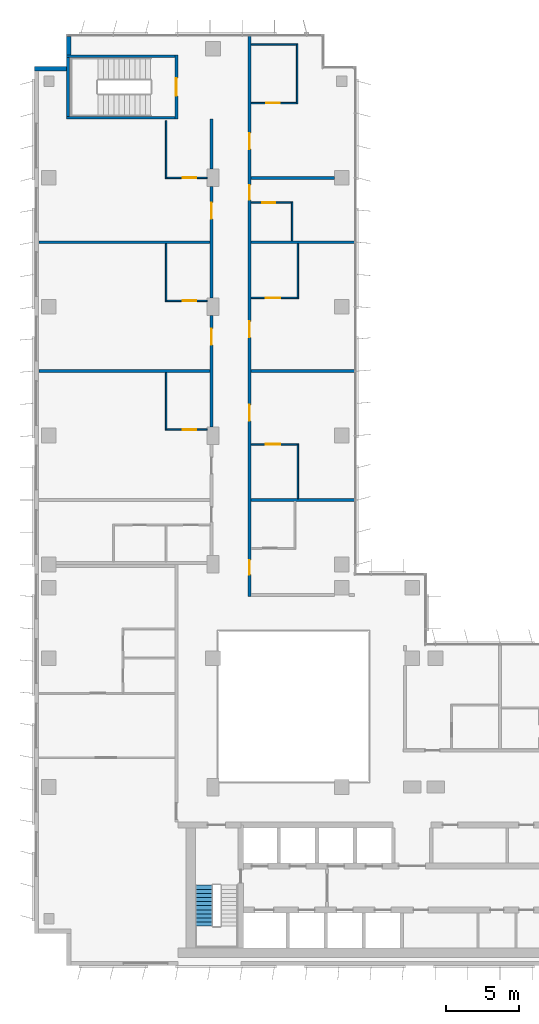
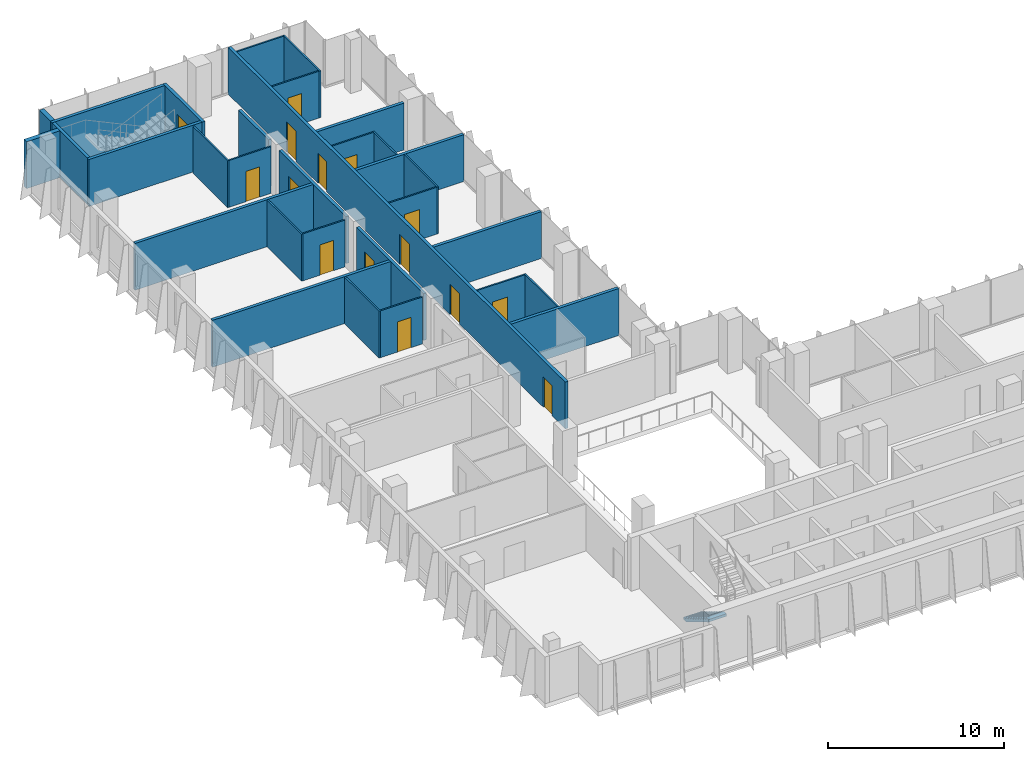
# One storey, part 16 of 20: 31 walls, 15 doors, 1 stair flight, 15 openings, 1 element without a shape of its own.
"""IFC4 building model written with IfcOpenShell, lengths in metres."""

import ifcopenshell
import ifcopenshell.guid

model = None  # the IFC model being written
_history = None  # IfcOwnerHistory: only IFC2X3 demands one
_inside = {}  # id of a spatial element -> (the spatial element, [elements in it])
_under = {}  # id of a project, library or spatial element -> (it, [spatial elements below it])
_declared = {}  # id of a project -> (the project, [libraries it declares])
_typed = {}  # id of a type object -> (the type object, [elements of that type])
_made_of = {}  # id of a material, layer set ... -> (it, [elements and type objects made of it])


def new_model(schema):
    """Start an empty IFC model of exactly this schema.

    Asked for "IFC4X3", IfcOpenShell would pick the latest addendum, in which some entities
    have other attributes; the version numbers below select the first issue.
    IFC2X3 requires an IfcOwnerHistory on every rooted entity: one is made here for all.
    """
    global model, _history
    if schema == "IFC4X3":
        model = ifcopenshell.file(schema_version=(4, 3, 0, 0))
    else:
        model = ifcopenshell.file(schema=schema)
    _inside.clear()
    _under.clear()
    _declared.clear()
    _typed.clear()
    _made_of.clear()
    _history = None
    if model.schema == "IFC2X3":
        org = make("IfcOrganization", Name="unknown")
        user = make(
            "IfcPersonAndOrganization",
            ThePerson=make("IfcPerson", FamilyName="unknown"),
            TheOrganization=org,
        )
        app = make(
            "IfcApplication",
            ApplicationDeveloper=org,
            Version="unknown",
            ApplicationFullName="unknown",
            ApplicationIdentifier="unknown",
        )
        _history = make(
            "IfcOwnerHistory",
            OwningUser=user,
            OwningApplication=app,
            ChangeAction="ADDED",
            CreationDate=0,
        )
    return model


def make(cls, **values):
    """One entity of the class cls with the attributes given. An attribute that is None is left unset."""
    return model.create_entity(
        cls, **{name: value for name, value in values.items() if value is not None}
    )


def rooted(cls, **values):
    """An entity with a GlobalId (a new one), such as an element, a storey or a relation."""
    return make(cls, GlobalId=ifcopenshell.guid.new(), OwnerHistory=_history, **values)


def si_unit(unit_type, name, prefix=None):
    """IfcSIUnit, for example si_unit("LENGTHUNIT", "METRE", prefix="MILLI")."""
    return make("IfcSIUnit", UnitType=unit_type, Prefix=prefix, Name=name)


def assignment(units):
    """IfcUnitAssignment: the units of a project."""
    return None if units is None else make("IfcUnitAssignment", Units=units)


def point(xyz):
    """IfcCartesianPoint."""
    return None if xyz is None else make("IfcCartesianPoint", Coordinates=xyz)


def direction(xyz):
    """IfcDirection."""
    return None if xyz is None else make("IfcDirection", DirectionRatios=xyz)


def frame(location, z_axis=None, x_axis=None):
    """IfcAxis2Placement3D, a coordinate frame: its origin and axes. An axis left out is left unset."""
    return make(
        "IfcAxis2Placement3D",
        Location=point(location),
        Axis=direction(z_axis),
        RefDirection=direction(x_axis),
    )


def frame_2d(location, x_axis=None):
    """IfcAxis2Placement2D, a coordinate frame in the plane: its origin and x axis."""
    return make(
        "IfcAxis2Placement2D", Location=point(location), RefDirection=direction(x_axis)
    )


def origin():
    """The frame at (0, 0, 0) with its axes left unset."""
    return frame((0.0, 0.0, 0.0))


def place(relative_to, where):
    """IfcLocalPlacement: puts the frame where relative to a parent placement (None: the world)."""
    return make(
        "IfcLocalPlacement", PlacementRelTo=relative_to, RelativePlacement=where
    )


def context(
    kind, dimensions, precision=None, world=None, true_north=None, identifier=None
):
    """IfcGeometricRepresentationContext, for example the 3D "Model" context."""
    return make(
        "IfcGeometricRepresentationContext",
        ContextIdentifier=identifier,
        ContextType=kind,
        CoordinateSpaceDimension=dimensions,
        Precision=precision,
        WorldCoordinateSystem=world,
        TrueNorth=true_north,
    )


def subcontext(parent, identifier, kind, view, scale=None):
    """IfcGeometricRepresentationSubContext, for example "Body" below "Model"."""
    return make(
        "IfcGeometricRepresentationSubContext",
        ContextIdentifier=identifier,
        ContextType=kind,
        ParentContext=parent,
        TargetScale=scale,
        TargetView=view,
    )


def project(units=None, contexts=None):
    """IfcProject with its units and contexts."""
    return rooted(
        "IfcProject",
        Name="project",
        RepresentationContexts=contexts,
        UnitsInContext=assignment(units),
    )


def spatial(cls, under=None, at=None, **own):
    """A site, building, storey or space (cls), placed at a placement, below another one or the project."""
    s = rooted(cls, ObjectPlacement=at, **own)
    if under is not None:
        _under.setdefault(under.id(), (under, []))[1].append(s)
    return s


def polyline(points):
    """IfcPolyline through the points."""
    return make("IfcPolyline", Points=[point(p) for p in points])


def profile(cls, at=None, kind="AREA", **sizes):
    """A parametric profile (cls). Its sizes go by their IFC names, for example OverallWidth=200.0."""
    return make(cls, ProfileType=kind, Position=at, **sizes)


def rectangle(**sizes):
    """IfcRectangleProfileDef."""
    return profile("IfcRectangleProfileDef", **sizes)


def outline(outer, holes=None, kind="AREA"):
    """IfcArbitraryClosedProfileDef: a profile drawn as a closed curve; with holes, ...WithVoids."""
    if holes is None:
        return make("IfcArbitraryClosedProfileDef", ProfileType=kind, OuterCurve=outer)
    return make(
        "IfcArbitraryProfileDefWithVoids",
        ProfileType=kind,
        OuterCurve=outer,
        InnerCurves=holes,
    )


def extrude(swept, where, along, depth):
    """IfcExtrudedAreaSolid: the profile swept, set in the frame where, extruded along a direction by depth."""
    return make(
        "IfcExtrudedAreaSolid",
        SweptArea=swept,
        Position=where,
        ExtrudedDirection=direction(along),
        Depth=depth,
    )


def shape(context_of_items, identifier, shape_type, items):
    """IfcShapeRepresentation: the items that make up one representation, for example the "Body"."""
    return make(
        "IfcShapeRepresentation",
        ContextOfItems=context_of_items,
        RepresentationIdentifier=identifier,
        RepresentationType=shape_type,
        Items=items,
    )


def material(Name=None, Category=None):
    """IfcMaterial."""
    return make("IfcMaterial", Name=Name, Category=Category)


def layer(
    of_material, thickness, ventilated=None, Name=None, Category=None, Priority=None
):
    """IfcMaterialLayer: one layer of a wall or slab, of a material (None: an air gap)."""
    return make(
        "IfcMaterialLayer",
        Material=of_material,
        LayerThickness=thickness,
        IsVentilated=ventilated,
        Name=Name,
        Category=Category,
        Priority=Priority,
    )


def layer_set(layers, Name=None):
    """IfcMaterialLayerSet."""
    return make("IfcMaterialLayerSet", MaterialLayers=layers, LayerSetName=Name)


def made_of(thing, what):
    """Note that an element or type object is made of a material, layer set ...; save() writes the relation."""
    if what is not None:
        _made_of.setdefault(what.id(), (what, []))[1].append(thing)
    return thing


def type_object(cls, material=None, **own):
    """A type object (cls), such as IfcWallType, which elements share."""
    return made_of(rooted(cls, **own), material)


def element(
    cls,
    number,
    at=None,
    inside=None,
    cuts=None,
    type_object=None,
    material=None,
    context=None,
    identifier="Body",
    shape_type=None,
    held_by="IfcProductDefinitionShape",
    body=None,
    shapes=None,
    **own,
):
    """One element of the class cls, such as IfcWall. Its Tag is "e" and its number.

    at: its placement. inside: the storey or other place that contains it. cuts: it is an
    opening in that element (IfcRelVoidsElement). A single representation is given by context,
    identifier, shape_type and body (its items); several are given by shapes. held_by: the class
    of the entity that holds the representations. save() writes the other relations.
    """
    e = rooted(cls, Tag="e%d" % number, ObjectPlacement=at, **own)
    if body is not None:
        shapes = [shape(context, identifier, shape_type, body)]
    if shapes is not None:
        e.Representation = make(held_by, Representations=shapes)
    if inside is not None:
        _inside.setdefault(inside.id(), (inside, []))[1].append(e)
    if cuts is not None:
        rooted(
            "IfcRelVoidsElement", RelatingBuildingElement=cuts, RelatedOpeningElement=e
        )
    if type_object is not None:
        _typed.setdefault(type_object.id(), (type_object, []))[1].append(e)
    return made_of(e, material)


def fill(opening, filler):
    """IfcRelFillsElement: the door or window that sits in an opening."""
    return rooted(
        "IfcRelFillsElement",
        RelatingOpeningElement=opening,
        RelatedBuildingElement=filler,
    )


def aggregate(whole, parts):
    """IfcRelAggregates: a whole, such as a stair, and the parts it consists of."""
    return rooted("IfcRelAggregates", RelatingObject=whole, RelatedObjects=parts)


def save(model, path):
    """Write the relations noted so far, then the file.

    IfcRelAggregates (storeys below a building ...), IfcRelContainedInSpatialStructure (elements
    in a storey), IfcRelDefinesByType, IfcRelAssociatesMaterial and IfcRelDeclares: one each for
    every whole, place, type object, material and project.
    """
    for whole, parts in _under.values():
        aggregate(whole, parts)
    for where, things in _inside.values():
        rooted(
            "IfcRelContainedInSpatialStructure",
            RelatedElements=things,
            RelatingStructure=where,
        )
    for kind, things in _typed.values():
        rooted("IfcRelDefinesByType", RelatedObjects=things, RelatingType=kind)
    for what, things in _made_of.values():
        rooted("IfcRelAssociatesMaterial", RelatedObjects=things, RelatingMaterial=what)
    for by, libraries in _declared.values():
        rooted("IfcRelDeclares", RelatingContext=by, RelatedDefinitions=libraries)
    model.write(path)


model = new_model("IFC4")

# Units and contexts
model_context = context("Model", 3, precision=1e-05, world=origin(), true_north=direction((0.0, 1.0)))
body_context = subcontext(model_context, "Body", "Model", "MODEL_VIEW")
ifc_project = project(units=[si_unit("LENGTHUNIT", "METRE"), si_unit("AREAUNIT", "SQUARE_METRE"), si_unit("VOLUMEUNIT", "CUBIC_METRE"), si_unit("PLANEANGLEUNIT", "RADIAN"), si_unit("MASSUNIT", "GRAM", prefix="KILO")], contexts=[model_context])

# Site, building, storey
site_placement = place(None, origin())
site = spatial("IfcSite", under=ifc_project, at=site_placement, CompositionType="ELEMENT")
building_placement = place(site_placement, origin())
building = spatial("IfcBuilding", under=site, at=building_placement, Name="Kemantara Hotel Tower", CompositionType="ELEMENT")
storey_placement = place(building_placement, frame((0.0, 0.0, 190.10009765625)))
storey = spatial("IfcBuildingStorey", under=building, at=storey_placement, Name="L47", CompositionType="ELEMENT", Elevation=190.10009765625)

# Walls
ifc_material_1 = material(Name="Bronze anodised aluminium cladding on insulated steel stud wall", Category="steel")
ifc_layer_1 = layer(ifc_material_1, 0.300048828125)
ifc_layer_set_1 = layer_set([ifc_layer_1], Name="Bronze anodised aluminium cladding on insulated steel stud wall")
wall_type_1 = type_object("IfcWallType", Name="BRONZE METAL-CLAD EXTERNAL WALL 300", PredefinedType="STANDARD", material=ifc_layer_set_1)
wall_1_placement = place(storey_placement, frame((2.35009765625, 63.449951171875, 0.0), z_axis=(0.0, 0.0, 1.0), x_axis=(0.0, -1.0, 0.0)))
element("IfcWall", 1, at=wall_1_placement, inside=storey, type_object=wall_type_1, Name="EXTERNAL WALL L47 T3-R03", PredefinedType="STANDARD", context=body_context, shape_type="SweptSolid", body=[
    extrude(rectangle(XDim=1.25, YDim=0.300048828125, at=frame_2d((0.625, 0.0))), origin(), (0.0, 0.0, 1.0), 3.25),
])
wall_2_placement = place(storey_placement, frame((2.199951171875, 61.25, 0.0), z_axis=(0.0, 0.0, 1.0), x_axis=(-1.0, 0.0, 0.0)))
element("IfcWall", 2, at=wall_2_placement, inside=storey, type_object=wall_type_1, Name="EXTERNAL WALL L47 T3-R04", PredefinedType="STANDARD", context=body_context, shape_type="SweptSolid", body=[
    extrude(rectangle(XDim=2.199951171875, YDim=0.300048828125, at=frame_2d((1.10009765625, 0.0))), origin(), (0.0, 0.0, 1.0), 3.25),
])

# Wall, opening, door
ifc_material_2 = material(Name="Gypsum board partition, steel studs and mineral wool, 200 mm", Category="steel")
ifc_layer_2 = layer(ifc_material_2, 0.199951171875)
ifc_layer_set_2 = layer_set([ifc_layer_2], Name="Gypsum board partition, steel studs and mineral wool, 200 mm")
wall_type_2 = type_object("IfcWallType", Name="CORRIDOR WALL 200", PredefinedType="PARTITIONING", material=ifc_layer_set_2)
wall_3_placement = place(storey_placement, frame((12.10009765625, 36.800048828125, 0.0), z_axis=(0.0, 0.0, 1.0), x_axis=(0.0, 1.0, 0.0)))
wall_3 = element("IfcWall", 3, at=wall_3_placement, inside=storey, type_object=wall_type_2, Name="CORRIDOR WALL 200 015", PredefinedType="PARTITIONING", context=body_context, shape_type="SweptSolid", body=[
    extrude(rectangle(XDim=7.599853515625, YDim=0.199951171875, at=frame_2d((3.7998046875, 0.0))), origin(), (0.0, 0.0, 1.0), 3.25),
])
opening_1_placement = place(wall_3_placement, frame((5.599853515625, 0.0, 0.0)))
opening_1 = element("IfcOpeningElement", 4, at=opening_1_placement, cuts=wall_3, Name="Opening F22-025", PredefinedType="OPENING", context=body_context, shape_type="SweptSolid", body=[
    extrude(rectangle(XDim=1.10009765625, YDim=2.10009765625, at=frame_2d((0.550048828125, 1.050048828125))), frame((0.0, 0.10986328125, 0.0), z_axis=(0.0, -1.0, 0.0), x_axis=(1.0, 0.0, 0.0)), (0.0, 0.0, 1.0), 0.219970703125),
])
ifc_material_3 = material(Name="Hardwood veneer door leaf with steel frame", Category="steel")
door_type_1 = type_object("IfcDoorType", Name="SUITE ENTRANCE DOOR 1100 X 2100 FD30S", OperationType="NOTDEFINED", PredefinedType="DOOR", material=ifc_material_3)
door_1_placement = place(opening_1_placement, origin())
door_1 = element("IfcDoor", 5, at=door_1_placement, inside=storey, type_object=door_type_1, Name="SUITE ENTRANCE DOOR F22-025", OperationType="SINGLE_SWING_LEFT", OverallHeight=2.10009765625, OverallWidth=1.10009765625, PredefinedType="DOOR", context=body_context, shape_type="SweptSolid", body=[
    extrude(rectangle(XDim=1.10009765625, YDim=2.10009765625, at=frame_2d((0.550048828125, 1.050048828125))), frame((0.0, 0.02490234375, 0.0), z_axis=(0.0, -1.0, 0.0), x_axis=(1.0, 0.0, 0.0)), (0.0, 0.0, 1.0), 0.050048828125),
])
fill(opening_1, door_1)

wall_4_placement = place(storey_placement, frame((12.10009765625, 45.60009765625, 0.0), z_axis=(0.0, 0.0, 1.0), x_axis=(0.0, 1.0, 0.0)))
wall_4 = element("IfcWall", 6, at=wall_4_placement, inside=storey, type_object=wall_type_2, Name="CORRIDOR WALL 200 016", PredefinedType="PARTITIONING", context=body_context, shape_type="SweptSolid", body=[
    extrude(rectangle(XDim=7.599853515625, YDim=0.199951171875, at=frame_2d((3.7998046875, 0.0))), origin(), (0.0, 0.0, 1.0), 3.25),
])
opening_2_placement = place(wall_4_placement, frame((5.39990234375, 0.0, 0.0)))
opening_2 = element("IfcOpeningElement", 7, at=opening_2_placement, cuts=wall_4, Name="Opening F22-027", PredefinedType="OPENING", context=body_context, shape_type="SweptSolid", body=[
    extrude(rectangle(XDim=1.10009765625, YDim=2.10009765625, at=frame_2d((0.550048828125, 1.050048828125))), frame((0.0, 0.10986328125, 0.0), z_axis=(0.0, -1.0, 0.0), x_axis=(1.0, 0.0, 0.0)), (0.0, 0.0, 1.0), 0.219970703125),
])
door_2_placement = place(opening_2_placement, origin())
door_2 = element("IfcDoor", 8, at=door_2_placement, inside=storey, type_object=door_type_1, Name="SUITE ENTRANCE DOOR F22-027", OperationType="SINGLE_SWING_LEFT", OverallHeight=2.10009765625, OverallWidth=1.10009765625, PredefinedType="DOOR", context=body_context, shape_type="SweptSolid", body=[
    extrude(rectangle(XDim=1.10009765625, YDim=2.10009765625, at=frame_2d((0.550048828125, 1.050048828125))), frame((0.0, 0.02490234375, 0.0), z_axis=(0.0, -1.0, 0.0), x_axis=(1.0, 0.0, 0.0)), (0.0, 0.0, 1.0), 0.050048828125),
])
fill(opening_2, door_2)

# Wall
wall_5_placement = place(storey_placement, frame((12.10009765625, 54.400146484375, 0.0), z_axis=(0.0, 0.0, 1.0), x_axis=(0.0, 1.0, 0.0)))
element("IfcWall", 9, at=wall_5_placement, inside=storey, type_object=wall_type_2, Name="CORRIDOR WALL 200 017", PredefinedType="PARTITIONING", context=body_context, shape_type="SweptSolid", body=[
    extrude(rectangle(XDim=3.39990234375, YDim=0.199951171875, at=frame_2d((1.699951171875, 0.0))), origin(), (0.0, 0.0, 1.0), 3.25),
])

# Wall, openings, doors
wall_6_placement = place(storey_placement, frame((14.699951171875, 63.47998046875, 0.0), z_axis=(0.0, 0.0, 1.0), x_axis=(0.0, -1.0, 0.0)))
wall_6 = element("IfcWall", 10, at=wall_6_placement, inside=storey, type_object=wall_type_2, Name="CORRIDOR WALL 200 025", PredefinedType="PARTITIONING", context=body_context, shape_type="SweptSolid", body=[
    extrude(rectangle(XDim=38.280029296875, YDim=0.199951171875, at=frame_2d((19.14013671875, 0.0))), origin(), (0.0, 0.0, 1.0), 3.25),
])
opening_3_placement = place(wall_6_placement, frame((35.77978515625, 0.0, 0.0)))
opening_3 = element("IfcOpeningElement", 11, at=opening_3_placement, cuts=wall_6, Name="Opening F22-029", PredefinedType="OPENING", context=body_context, shape_type="SweptSolid", body=[
    extrude(rectangle(XDim=1.0, YDim=2.10009765625, at=frame_2d((0.5, 1.050048828125))), frame((0.0, 0.10986328125, 0.0), z_axis=(0.0, -1.0, 0.0), x_axis=(1.0, 0.0, 0.0)), (0.0, 0.0, 1.0), 0.219970703125),
])
opening_4_placement = place(wall_6_placement, frame((25.179931640625, 0.0, 0.0)))
opening_4 = element("IfcOpeningElement", 12, at=opening_4_placement, cuts=wall_6, Name="Opening F22-031", PredefinedType="OPENING", context=body_context, shape_type="SweptSolid", body=[
    extrude(rectangle(XDim=1.10009765625, YDim=2.10009765625, at=frame_2d((0.550048828125, 1.050048828125))), frame((0.0, 0.10986328125, 0.0), z_axis=(0.0, -1.0, 0.0), x_axis=(1.0, 0.0, 0.0)), (0.0, 0.0, 1.0), 0.219970703125),
])
opening_5_placement = place(wall_6_placement, frame((19.47998046875, 0.0, 0.0)))
opening_5 = element("IfcOpeningElement", 13, at=opening_5_placement, cuts=wall_6, Name="Opening F22-033", PredefinedType="OPENING", context=body_context, shape_type="SweptSolid", body=[
    extrude(rectangle(XDim=1.10009765625, YDim=2.10009765625, at=frame_2d((0.550048828125, 1.050048828125))), frame((0.0, 0.10986328125, 0.0), z_axis=(0.0, -1.0, 0.0), x_axis=(1.0, 0.0, 0.0)), (0.0, 0.0, 1.0), 0.219970703125),
])
opening_6_placement = place(wall_6_placement, frame((10.179931640625, 0.0, 0.0)))
opening_6 = element("IfcOpeningElement", 14, at=opening_6_placement, cuts=wall_6, Name="Opening F22-035", PredefinedType="OPENING", context=body_context, shape_type="SweptSolid", body=[
    extrude(rectangle(XDim=1.0, YDim=2.10009765625, at=frame_2d((0.5, 1.050048828125))), frame((0.0, 0.10986328125, 0.0), z_axis=(0.0, -1.0, 0.0), x_axis=(1.0, 0.0, 0.0)), (0.0, 0.0, 1.0), 0.219970703125),
])
opening_7_placement = place(wall_6_placement, frame((6.6298828125, 0.0, 0.0)))
opening_7 = element("IfcOpeningElement", 15, at=opening_7_placement, cuts=wall_6, Name="Opening F22-037", PredefinedType="OPENING", context=body_context, shape_type="SweptSolid", body=[
    extrude(rectangle(XDim=1.10009765625, YDim=2.10009765625, at=frame_2d((0.550048828125, 1.050048828125))), frame((0.0, 0.10986328125, 0.0), z_axis=(0.0, -1.0, 0.0), x_axis=(1.0, 0.0, 0.0)), (0.0, 0.0, 1.0), 0.219970703125),
])
door_type_2 = type_object("IfcDoorType", Name="GUEST ROOM DOOR 1000 X 2100 FD30S", OperationType="NOTDEFINED", PredefinedType="DOOR", material=ifc_material_3)
door_3_placement = place(opening_3_placement, origin())
door_3 = element("IfcDoor", 16, at=door_3_placement, inside=storey, type_object=door_type_2, Name="GUEST ROOM DOOR F22-029", OperationType="SINGLE_SWING_RIGHT", OverallHeight=2.10009765625, OverallWidth=1.0, PredefinedType="DOOR", context=body_context, shape_type="SweptSolid", body=[
    extrude(rectangle(XDim=1.0, YDim=2.10009765625, at=frame_2d((0.5, 1.050048828125))), frame((0.0, 0.02490234375, 0.0), z_axis=(0.0, -1.0, 0.0), x_axis=(1.0, 0.0, 0.0)), (0.0, 0.0, 1.0), 0.050048828125),
])
fill(opening_3, door_3)
door_4_placement = place(opening_6_placement, origin())
door_4 = element("IfcDoor", 17, at=door_4_placement, inside=storey, type_object=door_type_2, Name="GUEST ROOM DOOR F22-035", OperationType="SINGLE_SWING_LEFT", OverallHeight=2.10009765625, OverallWidth=1.0, PredefinedType="DOOR", context=body_context, shape_type="SweptSolid", body=[
    extrude(rectangle(XDim=1.0, YDim=2.10009765625, at=frame_2d((0.5, 1.050048828125))), frame((0.0, 0.02490234375, 0.0), z_axis=(0.0, -1.0, 0.0), x_axis=(1.0, 0.0, 0.0)), (0.0, 0.0, 1.0), 0.050048828125),
])
fill(opening_6, door_4)
door_type_3 = type_object("IfcDoorType", Name="GUEST ROOM DOOR 1100 X 2100 FD30S", OperationType="NOTDEFINED", PredefinedType="DOOR", material=ifc_material_3)
door_5_placement = place(opening_4_placement, origin())
door_5 = element("IfcDoor", 18, at=door_5_placement, inside=storey, type_object=door_type_3, Name="GUEST ROOM DOOR F22-031", OperationType="SINGLE_SWING_LEFT", OverallHeight=2.10009765625, OverallWidth=1.10009765625, PredefinedType="DOOR", context=body_context, shape_type="SweptSolid", body=[
    extrude(rectangle(XDim=1.10009765625, YDim=2.10009765625, at=frame_2d((0.550048828125, 1.050048828125))), frame((0.0, 0.02490234375, 0.0), z_axis=(0.0, -1.0, 0.0), x_axis=(1.0, 0.0, 0.0)), (0.0, 0.0, 1.0), 0.050048828125),
])
fill(opening_4, door_5)
door_6_placement = place(opening_5_placement, origin())
door_6 = element("IfcDoor", 19, at=door_6_placement, inside=storey, type_object=door_type_3, Name="GUEST ROOM DOOR F22-033", OperationType="SINGLE_SWING_RIGHT", OverallHeight=2.10009765625, OverallWidth=1.10009765625, PredefinedType="DOOR", context=body_context, shape_type="SweptSolid", body=[
    extrude(rectangle(XDim=1.10009765625, YDim=2.10009765625, at=frame_2d((0.550048828125, 1.050048828125))), frame((0.0, 0.02490234375, 0.0), z_axis=(0.0, -1.0, 0.0), x_axis=(1.0, 0.0, 0.0)), (0.0, 0.0, 1.0), 0.050048828125),
])
fill(opening_5, door_6)
door_7_placement = place(opening_7_placement, origin())
door_7 = element("IfcDoor", 20, at=door_7_placement, inside=storey, type_object=door_type_1, Name="SUITE ENTRANCE DOOR F22-037", OperationType="SINGLE_SWING_RIGHT", OverallHeight=2.10009765625, OverallWidth=1.10009765625, PredefinedType="DOOR", context=body_context, shape_type="SweptSolid", body=[
    extrude(rectangle(XDim=1.10009765625, YDim=2.10009765625, at=frame_2d((0.550048828125, 1.050048828125))), frame((0.0, 0.02490234375, 0.0), z_axis=(0.0, -1.0, 0.0), x_axis=(1.0, 0.0, 0.0)), (0.0, 0.0, 1.0), 0.050048828125),
])
fill(opening_7, door_7)

# Wall, opening, door
ifc_material_4 = material(Name="Concrete fc 40 MPa", Category="concrete")
ifc_layer_3 = layer(ifc_material_4, 0.199951171875)
ifc_layer_set_3 = layer_set([ifc_layer_3], Name="Concrete fc 40 MPa")
wall_type_3 = type_object("IfcWallType", Name="Concrete stair wall 200 mm", PredefinedType="SHEAR", material=ifc_layer_set_3)
wall_7_placement = place(storey_placement, frame((9.699951171875, 57.800048828125, 0.0), z_axis=(0.0, 0.0, 1.0), x_axis=(0.0, 1.0, 0.0)))
wall_7 = element("IfcWall", 21, at=wall_7_placement, inside=storey, type_object=wall_type_3, Name="Stair ST4 enclosure wall with door", PredefinedType="SHEAR", context=body_context, shape_type="SweptSolid", body=[
    extrude(rectangle(XDim=4.39990234375, YDim=0.199951171875, at=frame_2d((2.199951171875, 0.0))), origin(), (0.0, 0.0, 1.0), 3.25),
])
opening_8_placement = place(wall_7_placement, frame((1.60009765625, 0.0, 0.0)))
opening_8 = element("IfcOpeningElement", 22, at=opening_8_placement, cuts=wall_7, Name="Opening ST4-C", PredefinedType="OPENING", context=body_context, shape_type="SweptSolid", body=[
    extrude(rectangle(XDim=1.199951171875, YDim=2.10009765625, at=frame_2d((0.60009765625, 1.050048828125))), frame((0.0, 0.10986328125, 0.0), z_axis=(0.0, -1.0, 0.0), x_axis=(1.0, 0.0, 0.0)), (0.0, 0.0, 1.0), 0.219970703125),
])
ifc_material_5 = material(Name="Steel fire door", Category="steel")
door_type_4 = type_object("IfcDoorType", Name="Fire door FD90 1200 x 2100", OperationType="NOTDEFINED", PredefinedType="DOOR", material=ifc_material_5)
door_8_placement = place(opening_8_placement, origin())
door_8 = element("IfcDoor", 23, at=door_8_placement, inside=storey, type_object=door_type_4, Name="Stair ST4 door", OperationType="SINGLE_SWING_RIGHT", OverallHeight=2.10009765625, OverallWidth=1.199951171875, PredefinedType="DOOR", context=body_context, shape_type="SweptSolid", body=[
    extrude(rectangle(XDim=1.199951171875, YDim=2.10009765625, at=frame_2d((0.60009765625, 1.050048828125))), frame((0.0, 0.02490234375, 0.0), z_axis=(0.0, -1.0, 0.0), x_axis=(1.0, 0.0, 0.0)), (0.0, 0.0, 1.0), 0.050048828125),
])
fill(opening_8, door_8)

# Walls
for number, where, z_axis, x_axis, name in (
    (24, (2.199951171875, 62.10009765625, 0.0), (0.0, 0.0, 1.0), (1.0, 0.0, 0.0), "Stair ST4 enclosure wall N"),
    (25, (2.199951171875, 57.89990234375, 0.0), (0.0, 0.0, 1.0), (1.0, 0.0, 0.0), "Stair ST4 enclosure wall S"),
):
    element("IfcWall", number, at=place(storey_placement, frame(where, z_axis=z_axis, x_axis=x_axis)), inside=storey, type_object=wall_type_3, Name=name, PredefinedType="SHEAR", context=body_context, shape_type="SweptSolid", body=[
        extrude(rectangle(XDim=7.400146484375, YDim=0.199951171875, at=frame_2d((3.7001953125, 0.0))), origin(), (0.0, 0.0, 1.0), 3.25),
    ])
wall_8_placement = place(storey_placement, frame((2.300048828125, 58.0, 0.0), z_axis=(0.0, 0.0, 1.0), x_axis=(0.0, 1.0, 0.0)))
element("IfcWall", 26, at=wall_8_placement, inside=storey, type_object=wall_type_3, Name="Stair ST4 enclosure wall W", PredefinedType="SHEAR", context=body_context, shape_type="SweptSolid", body=[
    extrude(rectangle(XDim=4.0, YDim=0.199951171875, at=frame_2d((2.0, 0.0))), origin(), (0.0, 0.0, 1.0), 3.25),
])
ifc_layer_4 = layer(ifc_material_2, 0.199951171875)
ifc_layer_set_4 = layer_set([ifc_layer_4], Name="Gypsum board partition, steel studs and mineral wool, 200 mm")
wall_type_4 = type_object("IfcWallType", Name="GUEST ROOM PARTY WALL 200", PredefinedType="PARTITIONING", material=ifc_layer_set_4)
wall_9_placement = place(storey_placement, frame((14.800048828125, 31.800048828125, 0.0), z_axis=(0.0, 0.0, 1.0), x_axis=(1.0, 0.0, 0.0)))
element("IfcWall", 27, at=wall_9_placement, inside=storey, type_object=wall_type_4, Name="GUEST ROOM PARTY WALL 200 020", PredefinedType="PARTITIONING", context=body_context, shape_type="SweptSolid", body=[
    extrude(rectangle(XDim=7.070068359375, YDim=0.199951171875, at=frame_2d((3.53515625, 0.0))), origin(), (0.0, 0.0, 1.0), 3.25),
])
wall_10_placement = place(storey_placement, frame((0.31005859375, 40.60009765625, 0.0), z_axis=(0.0, 0.0, 1.0), x_axis=(1.0, 0.0, 0.0)))
element("IfcWall", 28, at=wall_10_placement, inside=storey, type_object=wall_type_4, Name="GUEST ROOM PARTY WALL 200 021", PredefinedType="PARTITIONING", context=body_context, shape_type="SweptSolid", body=[
    extrude(rectangle(XDim=11.68994140625, YDim=0.199951171875, at=frame_2d((5.844970703125, 0.0))), origin(), (0.0, 0.0, 1.0), 3.25),
])
wall_11_placement = place(storey_placement, frame((14.800048828125, 40.60009765625, 0.0), z_axis=(0.0, 0.0, 1.0), x_axis=(1.0, 0.0, 0.0)))
element("IfcWall", 29, at=wall_11_placement, inside=storey, type_object=wall_type_4, Name="GUEST ROOM PARTY WALL 200 022", PredefinedType="PARTITIONING", context=body_context, shape_type="SweptSolid", body=[
    extrude(rectangle(XDim=7.070068359375, YDim=0.199951171875, at=frame_2d((3.53515625, 0.0))), origin(), (0.0, 0.0, 1.0), 3.25),
])
wall_12_placement = place(storey_placement, frame((0.31005859375, 49.39990234375, 0.0), z_axis=(0.0, 0.0, 1.0), x_axis=(1.0, 0.0, 0.0)))
element("IfcWall", 30, at=wall_12_placement, inside=storey, type_object=wall_type_4, Name="GUEST ROOM PARTY WALL 200 023", PredefinedType="PARTITIONING", context=body_context, shape_type="SweptSolid", body=[
    extrude(rectangle(XDim=11.68994140625, YDim=0.199951171875, at=frame_2d((5.844970703125, 0.0))), origin(), (0.0, 0.0, 1.0), 3.25),
])
wall_13_placement = place(storey_placement, frame((14.800048828125, 49.39990234375, 0.0), z_axis=(0.0, 0.0, 1.0), x_axis=(1.0, 0.0, 0.0)))
element("IfcWall", 31, at=wall_13_placement, inside=storey, type_object=wall_type_4, Name="GUEST ROOM PARTY WALL 200 024", PredefinedType="PARTITIONING", context=body_context, shape_type="SweptSolid", body=[
    extrude(rectangle(XDim=7.070068359375, YDim=0.199951171875, at=frame_2d((3.53515625, 0.0))), origin(), (0.0, 0.0, 1.0), 3.25),
])
wall_14_placement = place(storey_placement, frame((14.800048828125, 53.800048828125, 0.0), z_axis=(0.0, 0.0, 1.0), x_axis=(1.0, 0.0, 0.0)))
element("IfcWall", 32, at=wall_14_placement, inside=storey, type_object=wall_type_4, Name="GUEST ROOM PARTY WALL 200 028", PredefinedType="PARTITIONING", context=body_context, shape_type="SweptSolid", body=[
    extrude(rectangle(XDim=5.699951171875, YDim=0.199951171875, at=frame_2d((2.85009765625, 0.0))), origin(), (0.0, 0.0, 1.0), 3.25),
])
ifc_material_6 = material(Name="Gypsum board partition on steel studs, 100 mm", Category="steel")
ifc_layer_5 = layer(ifc_material_6, 0.10009765625)
ifc_layer_set_5 = layer_set([ifc_layer_5], Name="Gypsum board partition on steel studs, 100 mm")
wall_type_5 = type_object("IfcWallType", Name="ROOM PARTITION 100", PredefinedType="PARTITIONING", material=ifc_layer_set_5)
for number, where, z_axis, x_axis, name in (
    (33, (9.0, 36.550048828125, 0.0), (0.0, 0.0, 1.0), (0.0, 1.0, 0.0), "ROOM PARTITION 100 052"),
    (34, (9.0, 45.35009765625, 0.0), (0.0, 0.0, 1.0), (0.0, 1.0, 0.0), "ROOM PARTITION 100 053"),
    (35, (9.0, 53.75, 0.0), (0.0, 0.0, 1.0), (0.0, 1.0, 0.0), "ROOM PARTITION 100 054"),
):
    element("IfcWall", number, at=place(storey_placement, frame(where, z_axis=z_axis, x_axis=x_axis)), inside=storey, type_object=wall_type_5, Name=name, PredefinedType="PARTITIONING", context=body_context, shape_type="SweptSolid", body=[
        extrude(rectangle(XDim=3.949951171875, YDim=0.10009765625, at=frame_2d((1.97509765625, 0.0))), origin(), (0.0, 0.0, 1.0), 3.25),
    ])

# Wall, opening, door
wall_15_placement = place(storey_placement, frame((9.050048828125, 36.60009765625, 0.0), z_axis=(0.0, 0.0, 1.0), x_axis=(1.0, 0.0, 0.0)))
wall_15 = element("IfcWall", 36, at=wall_15_placement, inside=storey, type_object=wall_type_5, Name="ROOM PARTITION 100 056", PredefinedType="PARTITIONING", context=body_context, shape_type="SweptSolid", body=[
    extrude(rectangle(XDim=2.749755859375, YDim=0.10009765625, at=frame_2d((1.375, 0.0))), origin(), (0.0, 0.0, 1.0), 3.25),
])
opening_9_placement = place(wall_15_placement, frame((1.10009765625, 0.0, 0.0)))
opening_9 = element("IfcOpeningElement", 37, at=opening_9_placement, cuts=wall_15, Name="Opening F22-024", PredefinedType="OPENING", context=body_context, shape_type="SweptSolid", body=[
    extrude(rectangle(XDim=0.89990234375, YDim=2.10009765625, at=frame_2d((0.449951171875, 1.050048828125))), frame((0.0, 0.06005859375, 0.0), z_axis=(0.0, -1.0, 0.0), x_axis=(1.0, 0.0, 0.0)), (0.0, 0.0, 1.0), 0.1201171875),
])
door_type_5 = type_object("IfcDoorType", Name="BATHROOM DOOR 900 X 2100", OperationType="NOTDEFINED", PredefinedType="DOOR", material=ifc_material_3)
door_9_placement = place(opening_9_placement, origin())
door_9 = element("IfcDoor", 38, at=door_9_placement, inside=storey, type_object=door_type_5, Name="BATHROOM DOOR F22-024", OperationType="SINGLE_SWING_RIGHT", OverallHeight=2.10009765625, OverallWidth=0.89990234375, PredefinedType="DOOR", context=body_context, shape_type="SweptSolid", body=[
    extrude(rectangle(XDim=0.89990234375, YDim=2.10009765625, at=frame_2d((0.449951171875, 1.050048828125))), frame((0.0, 0.02490234375, 0.0), z_axis=(0.0, -1.0, 0.0), x_axis=(1.0, 0.0, 0.0)), (0.0, 0.0, 1.0), 0.050048828125),
])
fill(opening_9, door_9)

wall_16_placement = place(storey_placement, frame((9.050048828125, 45.39990234375, 0.0), z_axis=(0.0, 0.0, 1.0), x_axis=(1.0, 0.0, 0.0)))
wall_16 = element("IfcWall", 39, at=wall_16_placement, inside=storey, type_object=wall_type_5, Name="ROOM PARTITION 100 057", PredefinedType="PARTITIONING", context=body_context, shape_type="SweptSolid", body=[
    extrude(rectangle(XDim=2.749755859375, YDim=0.10009765625, at=frame_2d((1.375, 0.0))), origin(), (0.0, 0.0, 1.0), 3.25),
])
opening_10_placement = place(wall_16_placement, frame((1.10009765625, 0.0, 0.0)))
opening_10 = element("IfcOpeningElement", 40, at=opening_10_placement, cuts=wall_16, Name="Opening F22-026", PredefinedType="OPENING", context=body_context, shape_type="SweptSolid", body=[
    extrude(rectangle(XDim=0.89990234375, YDim=2.10009765625, at=frame_2d((0.449951171875, 1.050048828125))), frame((0.0, 0.06005859375, 0.0), z_axis=(0.0, -1.0, 0.0), x_axis=(1.0, 0.0, 0.0)), (0.0, 0.0, 1.0), 0.1201171875),
])
door_10_placement = place(opening_10_placement, origin())
door_10 = element("IfcDoor", 41, at=door_10_placement, inside=storey, type_object=door_type_5, Name="BATHROOM DOOR F22-026", OperationType="SINGLE_SWING_RIGHT", OverallHeight=2.10009765625, OverallWidth=0.89990234375, PredefinedType="DOOR", context=body_context, shape_type="SweptSolid", body=[
    extrude(rectangle(XDim=0.89990234375, YDim=2.10009765625, at=frame_2d((0.449951171875, 1.050048828125))), frame((0.0, 0.02490234375, 0.0), z_axis=(0.0, -1.0, 0.0), x_axis=(1.0, 0.0, 0.0)), (0.0, 0.0, 1.0), 0.050048828125),
])
fill(opening_10, door_10)

wall_17_placement = place(storey_placement, frame((9.050048828125, 53.800048828125, 0.0), z_axis=(0.0, 0.0, 1.0), x_axis=(1.0, 0.0, 0.0)))
wall_17 = element("IfcWall", 42, at=wall_17_placement, inside=storey, type_object=wall_type_5, Name="ROOM PARTITION 100 058", PredefinedType="PARTITIONING", context=body_context, shape_type="SweptSolid", body=[
    extrude(rectangle(XDim=2.749755859375, YDim=0.10009765625, at=frame_2d((1.375, 0.0))), origin(), (0.0, 0.0, 1.0), 3.25),
])
opening_11_placement = place(wall_17_placement, frame((1.10009765625, 0.0, 0.0)))
opening_11 = element("IfcOpeningElement", 43, at=opening_11_placement, cuts=wall_17, Name="Opening F22-028", PredefinedType="OPENING", context=body_context, shape_type="SweptSolid", body=[
    extrude(rectangle(XDim=0.89990234375, YDim=2.10009765625, at=frame_2d((0.449951171875, 1.050048828125))), frame((0.0, 0.06005859375, 0.0), z_axis=(0.0, -1.0, 0.0), x_axis=(1.0, 0.0, 0.0)), (0.0, 0.0, 1.0), 0.1201171875),
])
door_11_placement = place(opening_11_placement, origin())
door_11 = element("IfcDoor", 44, at=door_11_placement, inside=storey, type_object=door_type_5, Name="BATHROOM DOOR F22-028", OperationType="SINGLE_SWING_RIGHT", OverallHeight=2.10009765625, OverallWidth=0.89990234375, PredefinedType="DOOR", context=body_context, shape_type="SweptSolid", body=[
    extrude(rectangle(XDim=0.89990234375, YDim=2.10009765625, at=frame_2d((0.449951171875, 1.050048828125))), frame((0.0, 0.02490234375, 0.0), z_axis=(0.0, -1.0, 0.0), x_axis=(1.0, 0.0, 0.0)), (0.0, 0.0, 1.0), 0.050048828125),
])
fill(opening_11, door_11)

# Walls
for number, where, z_axis, x_axis, name in (
    (45, (18.0, 31.89990234375, 0.0), (0.0, 0.0, 1.0), (0.0, 1.0, 0.0), "ROOM PARTITION 100 061"),
    (46, (18.0, 45.550048828125, 0.0), (0.0, 0.0, 1.0), (0.0, 1.0, 0.0), "ROOM PARTITION 100 062"),
):
    element("IfcWall", number, at=place(storey_placement, frame(where, z_axis=z_axis, x_axis=x_axis)), inside=storey, type_object=wall_type_5, Name=name, PredefinedType="PARTITIONING", context=body_context, shape_type="SweptSolid", body=[
        extrude(rectangle(XDim=3.75, YDim=0.10009765625, at=frame_2d((1.875, 0.0))), origin(), (0.0, 0.0, 1.0), 3.25),
    ])

# Wall, opening, door
wall_18_placement = place(storey_placement, frame((17.949951171875, 35.60009765625, 0.0), z_axis=(0.0, 0.0, 1.0), x_axis=(-1.0, 0.0, 0.0)))
wall_18 = element("IfcWall", 47, at=wall_18_placement, inside=storey, type_object=wall_type_5, Name="ROOM PARTITION 100 063", PredefinedType="PARTITIONING", context=body_context, shape_type="SweptSolid", body=[
    extrude(rectangle(XDim=3.14990234375, YDim=0.10009765625, at=frame_2d((1.574951171875, 0.0))), origin(), (0.0, 0.0, 1.0), 3.25),
])
opening_12_placement = place(wall_18_placement, frame((1.14990234375, 0.0, 0.0)))
opening_12 = element("IfcOpeningElement", 48, at=opening_12_placement, cuts=wall_18, Name="Opening F22-032", PredefinedType="OPENING", context=body_context, shape_type="SweptSolid", body=[
    extrude(rectangle(XDim=1.0, YDim=2.10009765625, at=frame_2d((0.5, 1.050048828125))), frame((0.0, 0.06005859375, 0.0), z_axis=(0.0, -1.0, 0.0), x_axis=(1.0, 0.0, 0.0)), (0.0, 0.0, 1.0), 0.1201171875),
])
door_type_6 = type_object("IfcDoorType", Name="BATHROOM DOOR 1000 X 2100", OperationType="NOTDEFINED", PredefinedType="DOOR", material=ifc_material_3)
door_12_placement = place(opening_12_placement, origin())
door_12 = element("IfcDoor", 49, at=door_12_placement, inside=storey, type_object=door_type_6, Name="BATHROOM DOOR F22-032", OperationType="SINGLE_SWING_RIGHT", OverallHeight=2.10009765625, OverallWidth=1.0, PredefinedType="DOOR", context=body_context, shape_type="SweptSolid", body=[
    extrude(rectangle(XDim=1.0, YDim=2.10009765625, at=frame_2d((0.5, 1.050048828125))), frame((0.0, 0.02490234375, 0.0), z_axis=(0.0, -1.0, 0.0), x_axis=(1.0, 0.0, 0.0)), (0.0, 0.0, 1.0), 0.050048828125),
])
fill(opening_12, door_12)

wall_19_placement = place(storey_placement, frame((14.800048828125, 45.60009765625, 0.0), z_axis=(0.0, 0.0, 1.0), x_axis=(1.0, 0.0, 0.0)))
wall_19 = element("IfcWall", 50, at=wall_19_placement, inside=storey, type_object=wall_type_5, Name="ROOM PARTITION 100 064", PredefinedType="PARTITIONING", context=body_context, shape_type="SweptSolid", body=[
    extrude(rectangle(XDim=3.14990234375, YDim=0.10009765625, at=frame_2d((1.574951171875, 0.0))), origin(), (0.0, 0.0, 1.0), 3.25),
])
opening_13_placement = place(wall_19_placement, frame((1.0, 0.0, 0.0)))
opening_13 = element("IfcOpeningElement", 51, at=opening_13_placement, cuts=wall_19, Name="Opening F22-034", PredefinedType="OPENING", context=body_context, shape_type="SweptSolid", body=[
    extrude(rectangle(XDim=1.0, YDim=2.10009765625, at=frame_2d((0.5, 1.050048828125))), frame((0.0, 0.06005859375, 0.0), z_axis=(0.0, -1.0, 0.0), x_axis=(1.0, 0.0, 0.0)), (0.0, 0.0, 1.0), 0.1201171875),
])
door_13_placement = place(opening_13_placement, origin())
door_13 = element("IfcDoor", 52, at=door_13_placement, inside=storey, type_object=door_type_6, Name="BATHROOM DOOR F22-034", OperationType="SINGLE_SWING_LEFT", OverallHeight=2.10009765625, OverallWidth=1.0, PredefinedType="DOOR", context=body_context, shape_type="SweptSolid", body=[
    extrude(rectangle(XDim=1.0, YDim=2.10009765625, at=frame_2d((0.5, 1.050048828125))), frame((0.0, 0.02490234375, 0.0), z_axis=(0.0, -1.0, 0.0), x_axis=(1.0, 0.0, 0.0)), (0.0, 0.0, 1.0), 0.050048828125),
])
fill(opening_13, door_13)

# Wall
wall_20_placement = place(storey_placement, frame((17.60009765625, 49.5, 0.0), z_axis=(0.0, 0.0, 1.0), x_axis=(0.0, 1.0, 0.0)))
element("IfcWall", 53, at=wall_20_placement, inside=storey, type_object=wall_type_5, Name="ROOM PARTITION 100 065", PredefinedType="PARTITIONING", context=body_context, shape_type="SweptSolid", body=[
    extrude(rectangle(XDim=2.64990234375, YDim=0.10009765625, at=frame_2d((1.324951171875, 0.0))), origin(), (0.0, 0.0, 1.0), 3.25),
])

# Wall, opening, door
wall_21_placement = place(storey_placement, frame((17.550048828125, 52.10009765625, 0.0), z_axis=(0.0, 0.0, 1.0), x_axis=(-1.0, 0.0, 0.0)))
wall_21 = element("IfcWall", 54, at=wall_21_placement, inside=storey, type_object=wall_type_5, Name="ROOM PARTITION 100 066", PredefinedType="PARTITIONING", context=body_context, shape_type="SweptSolid", body=[
    extrude(rectangle(XDim=2.75, YDim=0.10009765625, at=frame_2d((1.375, 0.0))), origin(), (0.0, 0.0, 1.0), 3.25),
])
opening_14_placement = place(wall_21_placement, frame((1.10009765625, 0.0, 0.0)))
opening_14 = element("IfcOpeningElement", 55, at=opening_14_placement, cuts=wall_21, Name="Opening F22-036", PredefinedType="OPENING", context=body_context, shape_type="SweptSolid", body=[
    extrude(rectangle(XDim=0.89990234375, YDim=2.10009765625, at=frame_2d((0.449951171875, 1.050048828125))), frame((0.0, 0.06005859375, 0.0), z_axis=(0.0, -1.0, 0.0), x_axis=(1.0, 0.0, 0.0)), (0.0, 0.0, 1.0), 0.1201171875),
])
door_14_placement = place(opening_14_placement, origin())
door_14 = element("IfcDoor", 56, at=door_14_placement, inside=storey, type_object=door_type_5, Name="BATHROOM DOOR F22-036", OperationType="SINGLE_SWING_RIGHT", OverallHeight=2.10009765625, OverallWidth=0.89990234375, PredefinedType="DOOR", context=body_context, shape_type="SweptSolid", body=[
    extrude(rectangle(XDim=0.89990234375, YDim=2.10009765625, at=frame_2d((0.449951171875, 1.050048828125))), frame((0.0, 0.02490234375, 0.0), z_axis=(0.0, -1.0, 0.0), x_axis=(1.0, 0.0, 0.0)), (0.0, 0.0, 1.0), 0.050048828125),
])
fill(opening_14, door_14)

# Wall
wall_22_placement = place(storey_placement, frame((17.949951171875, 58.85009765625, 0.0), z_axis=(0.0, 0.0, 1.0), x_axis=(0.0, 1.0, 0.0)))
element("IfcWall", 57, at=wall_22_placement, inside=storey, type_object=wall_type_5, Name="ROOM PARTITION 100 067", PredefinedType="PARTITIONING", context=body_context, shape_type="SweptSolid", body=[
    extrude(rectangle(XDim=4.099853515625, YDim=0.10009765625, at=frame_2d((2.0498046875, 0.0))), origin(), (0.0, 0.0, 1.0), 3.25),
])

# Wall, opening, door
wall_23_placement = place(storey_placement, frame((14.800048828125, 58.89990234375, 0.0), z_axis=(0.0, 0.0, 1.0), x_axis=(1.0, 0.0, 0.0)))
wall_23 = element("IfcWall", 58, at=wall_23_placement, inside=storey, type_object=wall_type_5, Name="ROOM PARTITION 100 068", PredefinedType="PARTITIONING", context=body_context, shape_type="SweptSolid", body=[
    extrude(rectangle(XDim=3.099853515625, YDim=0.10009765625, at=frame_2d((1.5498046875, 0.0))), origin(), (0.0, 0.0, 1.0), 3.25),
])
opening_15_placement = place(wall_23_placement, frame((1.050048828125, 0.0, 0.0)))
opening_15 = element("IfcOpeningElement", 59, at=opening_15_placement, cuts=wall_23, Name="Opening F22-038", PredefinedType="OPENING", context=body_context, shape_type="SweptSolid", body=[
    extrude(rectangle(XDim=0.89990234375, YDim=2.10009765625, at=frame_2d((0.449951171875, 1.050048828125))), frame((0.0, 0.06005859375, 0.0), z_axis=(0.0, -1.0, 0.0), x_axis=(1.0, 0.0, 0.0)), (0.0, 0.0, 1.0), 0.1201171875),
])
door_15_placement = place(opening_15_placement, origin())
door_15 = element("IfcDoor", 60, at=door_15_placement, inside=storey, type_object=door_type_5, Name="BATHROOM DOOR F22-038", OperationType="SINGLE_SWING_LEFT", OverallHeight=2.10009765625, OverallWidth=0.89990234375, PredefinedType="DOOR", context=body_context, shape_type="SweptSolid", body=[
    extrude(rectangle(XDim=0.89990234375, YDim=2.10009765625, at=frame_2d((0.449951171875, 1.050048828125))), frame((0.0, 0.02490234375, 0.0), z_axis=(0.0, -1.0, 0.0), x_axis=(1.0, 0.0, 0.0)), (0.0, 0.0, 1.0), 0.050048828125),
])
fill(opening_15, door_15)

# Wall
wall_24_placement = place(storey_placement, frame((14.800048828125, 62.89990234375, 0.0), z_axis=(0.0, 0.0, 1.0), x_axis=(1.0, 0.0, 0.0)))
element("IfcWall", 61, at=wall_24_placement, inside=storey, type_object=wall_type_5, Name="ROOM PARTITION 100 069", PredefinedType="PARTITIONING", context=body_context, shape_type="SweptSolid", body=[
    extrude(rectangle(XDim=3.099853515625, YDim=0.10009765625, at=frame_2d((1.5498046875, 0.0))), origin(), (0.0, 0.0, 1.0), 3.25),
])

# Stair, stair flight
stair_type = type_object("IfcStairType", Name="Stair 1200 wide 22 risers of 168 x 280 mm", PredefinedType="HALF_TURN_STAIR", material=ifc_material_4)
stair_placement = place(storey_placement, origin())
stair = element("IfcStair", 62, at=stair_placement, inside=storey, type_object=stair_type, Name="L47 Exit stair ST1", PredefinedType="HALF_TURN_STAIR")
stair_flight_type = type_object("IfcStairFlightType", Name="Stair flight 1200 wide 168 x 280 mm", PredefinedType="STRAIGHT", material=ifc_material_4)
stair_flight_placement = place(storey_placement, frame((11.60009765625, 5.5, 0.0), z_axis=(0.0, 0.0, 1.0), x_axis=(0.0, -1.0, 0.0)))
stair_flight = element("IfcStairFlight", 63, at=stair_flight_placement, type_object=stair_flight_type, Name="ST1 flight 1", NumberOfRisers=11, NumberOfTreads=10, PredefinedType="STRAIGHT", RiserHeight=0.168181818, TreadLength=0.28, context=body_context, shape_type="SweptSolid", body=[
    extrude(outline(polyline([(0.0, 0.0), (0.0, 0.168212890625), (0.280029296875, 0.168212890625), (0.280029296875, 0.33642578125), (0.56005859375, 0.33642578125), (0.56005859375, 0.504638671875), (0.840087890625, 0.504638671875), (0.840087890625, 0.672607421875), (1.1201171875, 0.672607421875), (1.1201171875, 0.8408203125), (1.39990234375, 0.8408203125), (1.39990234375, 1.009033203125), (1.679931640625, 1.009033203125), (1.679931640625, 1.17724609375), (1.9599609375, 1.17724609375), (1.9599609375, 1.345458984375), (2.239990234375, 1.345458984375), (2.239990234375, 1.513671875), (2.52001953125, 1.513671875), (2.52001953125, 1.681884765625), (2.800048828125, 1.681884765625), (2.800048828125, 1.85009765625), (2.800048828125, 1.5068359375), (0.291015625, 0.0), (0.0, 0.0)])), frame((0.0, 0.60009765625, 0.0), z_axis=(0.0, -1.0, 0.0), x_axis=(1.0, 0.0, 0.0)), (0.0, 0.0, 1.0), 1.199951171875),
])
aggregate(stair, [stair_flight])

save(model, "model.ifc")
